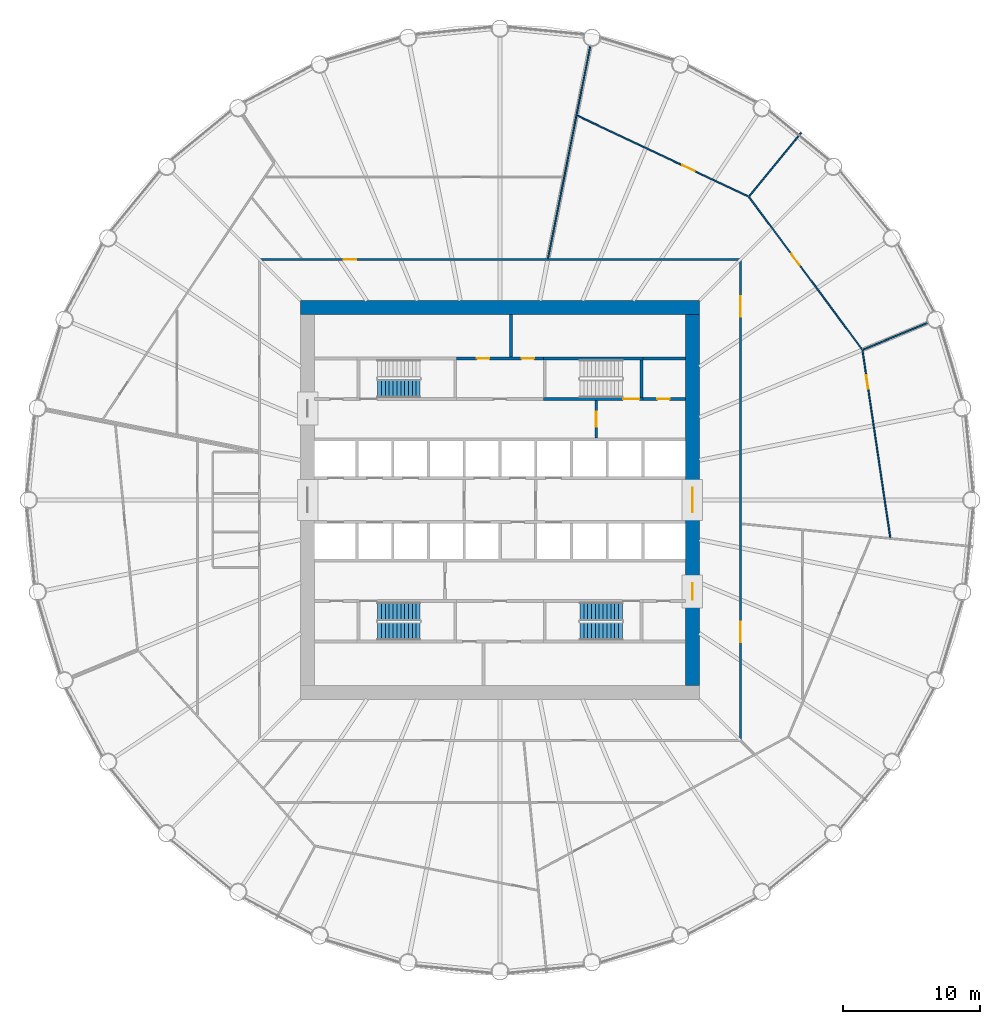
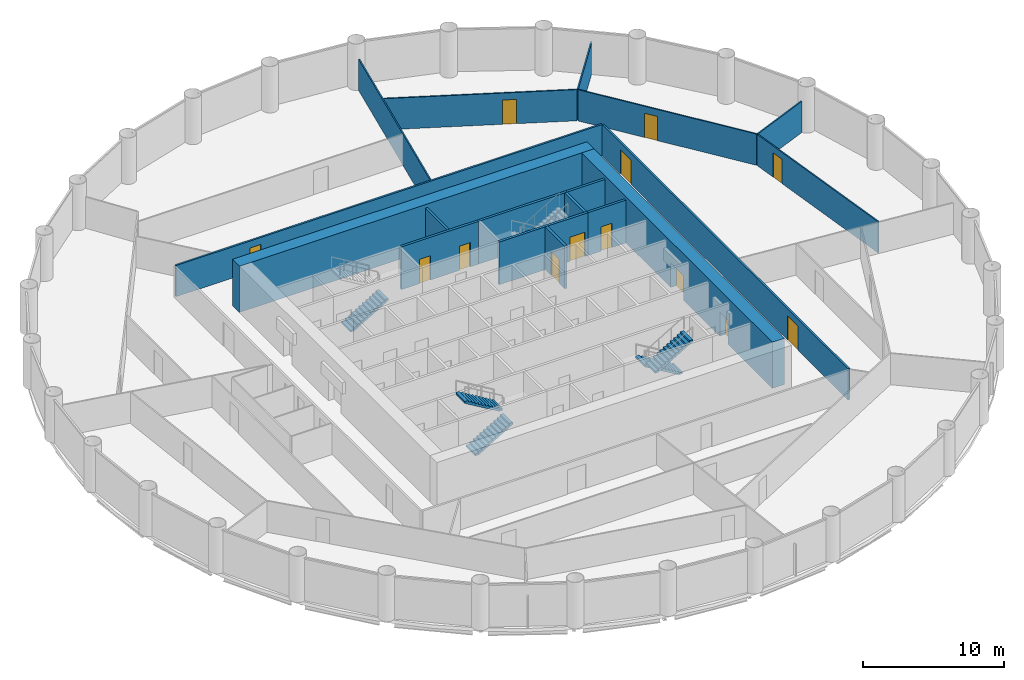
# One storey, part 7 of 9: 18 walls, 13 doors, 5 stair flights, 13 openings, 3 elements without a shape of their own.
"""IFC4 building model written with IfcOpenShell, lengths in metres."""

from ifc_helpers import new_model, si_unit, direction, frame, frame_2d, origin, place, context, subcontext, project, spatial, polyline, rectangle, outline, extrude, material, layer, layer_set, type_object, element, fill, aggregate, save


model = new_model("IFC4")

# Units and contexts
model_context = context("Model", 3, precision=1e-05, world=origin(), true_north=direction((0.0, 1.0)))
body_context = subcontext(model_context, "Body", "Model", "MODEL_VIEW")
ifc_project = project(units=[si_unit("LENGTHUNIT", "METRE"), si_unit("AREAUNIT", "SQUARE_METRE"), si_unit("VOLUMEUNIT", "CUBIC_METRE"), si_unit("PLANEANGLEUNIT", "RADIAN"), si_unit("MASSUNIT", "GRAM", prefix="KILO")], contexts=[model_context])

# Site, building, storey
site_placement = place(None, origin())
site = spatial("IfcSite", under=ifc_project, at=site_placement, CompositionType="ELEMENT")
building_placement = place(site_placement, origin())
building = spatial("IfcBuilding", under=site, at=building_placement, Name="Corvane Civic Tower", CompositionType="ELEMENT")
storey_placement = place(building_placement, frame((0.0, 0.0, 102.5)))
storey = spatial("IfcBuildingStorey", under=building, at=storey_placement, Name="L23", CompositionType="ELEMENT", Elevation=102.5)

# Wall
ifc_material_1 = material(Name="Concrete C70/85", Category="concrete")
ifc_layer_1 = layer(ifc_material_1, 1.0)
ifc_layer_set_1 = layer_set([ifc_layer_1], Name="Concrete C70/85")
wall_type_1 = type_object("IfcWallType", Name="CORE WALL 1000 C70/85", PredefinedType="SHEAR", material=ifc_layer_set_1)
wall_1_placement = place(storey_placement, frame((-14.5, 14.0, 0.0), z_axis=(0.0, 0.0, 1.0), x_axis=(1.0, 0.0, 0.0)))
element("IfcWall", 1, at=wall_1_placement, inside=storey, type_object=wall_type_1, Name="W-L23-core-N", PredefinedType="SHEAR", context=body_context, shape_type="SweptSolid", body=[
    extrude(rectangle(XDim=29.0, YDim=1.0, at=frame_2d((14.5, 0.0))), origin(), (0.0, 0.0, 1.0), 4.0),
])

# Wall, openings, doors
wall_2_placement = place(storey_placement, frame((14.0, -13.5, 0.0), z_axis=(0.0, 0.0, 1.0), x_axis=(0.0, 1.0, 0.0)))
wall_2 = element("IfcWall", 2, at=wall_2_placement, inside=storey, type_object=wall_type_1, Name="W-L23-core-E", PredefinedType="SHEAR", context=body_context, shape_type="SweptSolid", body=[
    extrude(rectangle(XDim=27.0, YDim=1.0, at=frame_2d((13.5, 0.0))), origin(), (0.0, 0.0, 1.0), 4.0),
])
opening_1_placement = place(wall_2_placement, frame((12.60009765625, 0.0, 0.0)))
opening_1 = element("IfcOpeningElement", 3, at=opening_1_placement, cuts=wall_2, Name="Opening L23.C21", PredefinedType="OPENING", context=body_context, shape_type="SweptSolid", body=[
    extrude(rectangle(XDim=1.800048828125, YDim=2.10009765625, at=frame_2d((0.89990234375, 1.050048828125))), frame((0.0, 0.510009765625, 0.0), z_axis=(0.0, -1.0, 0.0), x_axis=(1.0, 0.0, 0.0)), (0.0, 0.0, 1.0), 1.02001953125),
])
opening_2_placement = place(wall_2_placement, frame((6.25, 0.0, 0.0)))
opening_2 = element("IfcOpeningElement", 4, at=opening_2_placement, cuts=wall_2, Name="Opening L23.C23", PredefinedType="OPENING", context=body_context, shape_type="SweptSolid", body=[
    extrude(rectangle(XDim=1.199951171875, YDim=2.10009765625, at=frame_2d((0.60009765625, 1.050048828125))), frame((0.0, 0.510009765625, 0.0), z_axis=(0.0, -1.0, 0.0), x_axis=(1.0, 0.0, 0.0)), (0.0, 0.0, 1.0), 1.02001953125),
])
ifc_material_2 = material(Name="Steel fire door leaf", Category="steel")
door_type_1 = type_object("IfcDoorType", Name="CR-DOOR-CORE-1800", OperationType="DOUBLE_DOOR_SINGLE_SWING", PredefinedType="DOOR", material=ifc_material_2)
door_1_placement = place(opening_1_placement, origin())
door_1 = element("IfcDoor", 5, at=door_1_placement, inside=storey, type_object=door_type_1, Name="L23 door", OperationType="DOUBLE_DOOR_SINGLE_SWING", OverallHeight=2.10009765625, OverallWidth=1.800048828125, PredefinedType="DOOR", context=body_context, shape_type="SweptSolid", body=[
    extrude(rectangle(XDim=1.800048828125, YDim=2.10009765625, at=frame_2d((0.89990234375, 1.050048828125))), frame((0.0, 0.02490234375, 0.0), z_axis=(0.0, -1.0, 0.0), x_axis=(1.0, 0.0, 0.0)), (0.0, 0.0, 1.0), 0.050048828125),
])
fill(opening_1, door_1)
door_2_placement = place(opening_2_placement, origin())
door_2 = element("IfcDoor", 6, at=door_2_placement, inside=storey, type_object=door_type_1, Name="L23 door", OperationType="DOUBLE_DOOR_SINGLE_SWING", OverallHeight=2.10009765625, OverallWidth=1.199951171875, PredefinedType="DOOR", context=body_context, shape_type="SweptSolid", body=[
    extrude(rectangle(XDim=1.199951171875, YDim=2.10009765625, at=frame_2d((0.60009765625, 1.050048828125))), frame((0.0, 0.02490234375, 0.0), z_axis=(0.0, -1.0, 0.0), x_axis=(1.0, 0.0, 0.0)), (0.0, 0.0, 1.0), 0.050048828125),
])
fill(opening_2, door_2)

# Wall, opening, door
ifc_material_3 = material(Name="Concrete C30/37", Category="concrete")
ifc_layer_2 = layer(ifc_material_3, 0.199951171875)
ifc_layer_set_2 = layer_set([ifc_layer_2], Name="Concrete C30/37")
wall_type_2 = type_object("IfcWallType", Name="CR-WALL-200", PredefinedType="PARTITIONING", material=ifc_layer_set_2)
wall_3_placement = place(storey_placement, frame((10.39990234375, 7.35009765625, 0.0), z_axis=(0.0, 0.0, 1.0), x_axis=(1.0, 0.0, 0.0)))
wall_3 = element("IfcWall", 7, at=wall_3_placement, inside=storey, type_object=wall_type_2, Name="L23 core partition wall", PredefinedType="PARTITIONING", context=body_context, shape_type="SweptSolid", body=[
    extrude(rectangle(XDim=3.10009765625, YDim=0.199951171875, at=frame_2d((1.550048828125, 0.0))), origin(), (0.0, 0.0, 1.0), 3.699951171875),
])
opening_3_placement = place(wall_3_placement, frame((1.050048828125, 0.0, 0.0)))
opening_3 = element("IfcOpeningElement", 8, at=opening_3_placement, cuts=wall_3, Name="Opening L23.C10", PredefinedType="OPENING", context=body_context, shape_type="SweptSolid", body=[
    extrude(rectangle(XDim=0.89990234375, YDim=2.10009765625, at=frame_2d((0.449951171875, 1.050048828125))), frame((0.0, 0.10986328125, 0.0), z_axis=(0.0, -1.0, 0.0), x_axis=(1.0, 0.0, 0.0)), (0.0, 0.0, 1.0), 0.219970703125),
])
ifc_material_4 = material(Name="Steel fire door leaf", Category="steel")
door_type_2 = type_object("IfcDoorType", Name="CR-DOOR-900", OperationType="SINGLE_SWING_LEFT", PredefinedType="DOOR", material=ifc_material_4)
door_3_placement = place(opening_3_placement, origin())
door_3 = element("IfcDoor", 9, at=door_3_placement, inside=storey, type_object=door_type_2, Name="L23 door", OperationType="SINGLE_SWING_LEFT", OverallHeight=2.10009765625, OverallWidth=0.89990234375, PredefinedType="DOOR", context=body_context, shape_type="SweptSolid", body=[
    extrude(rectangle(XDim=0.89990234375, YDim=2.10009765625, at=frame_2d((0.449951171875, 1.050048828125))), frame((0.0, 0.02490234375, 0.0), z_axis=(0.0, -1.0, 0.0), x_axis=(1.0, 0.0, 0.0)), (0.0, 0.0, 1.0), 0.050048828125),
])
fill(opening_3, door_3)

# Wall, openings, doors
wall_4_placement = place(storey_placement, frame((-3.14990234375, 10.300048828125, 0.0), z_axis=(0.0, 0.0, 1.0), x_axis=(1.0, 0.0, 0.0)))
wall_4 = element("IfcWall", 10, at=wall_4_placement, inside=storey, type_object=wall_type_2, Name="L23 partition wall", PredefinedType="PARTITIONING", context=body_context, shape_type="SweptSolid", body=[
    extrude(rectangle(XDim=6.2998046875, YDim=0.199951171875, at=frame_2d((3.14990234375, 0.0))), origin(), (0.0, 0.0, 1.0), 3.699951171875),
])
opening_4_placement = place(wall_4_placement, frame((1.47509765625, 0.0, 0.0)))
opening_4 = element("IfcOpeningElement", 11, at=opening_4_placement, cuts=wall_4, Name="Opening L23.C04", PredefinedType="OPENING", context=body_context, shape_type="SweptSolid", body=[
    extrude(rectangle(XDim=0.89990234375, YDim=2.10009765625, at=frame_2d((0.449951171875, 1.050048828125))), frame((0.0, 0.10986328125, 0.0), z_axis=(0.0, -1.0, 0.0), x_axis=(1.0, 0.0, 0.0)), (0.0, 0.0, 1.0), 0.219970703125),
])
opening_5_placement = place(wall_4_placement, frame((4.72509765625, 0.0, 0.0)))
opening_5 = element("IfcOpeningElement", 12, at=opening_5_placement, cuts=wall_4, Name="Opening L23.C05", PredefinedType="OPENING", context=body_context, shape_type="SweptSolid", body=[
    extrude(rectangle(XDim=0.89990234375, YDim=2.10009765625, at=frame_2d((0.449951171875, 1.050048828125))), frame((0.0, 0.10986328125, 0.0), z_axis=(0.0, -1.0, 0.0), x_axis=(1.0, 0.0, 0.0)), (0.0, 0.0, 1.0), 0.219970703125),
])
door_4_placement = place(opening_4_placement, origin())
door_4 = element("IfcDoor", 13, at=door_4_placement, inside=storey, type_object=door_type_2, Name="L23 door", OperationType="SINGLE_SWING_LEFT", OverallHeight=2.10009765625, OverallWidth=0.89990234375, PredefinedType="DOOR", context=body_context, shape_type="SweptSolid", body=[
    extrude(rectangle(XDim=0.89990234375, YDim=2.10009765625, at=frame_2d((0.449951171875, 1.050048828125))), frame((0.0, 0.02490234375, 0.0), z_axis=(0.0, -1.0, 0.0), x_axis=(1.0, 0.0, 0.0)), (0.0, 0.0, 1.0), 0.050048828125),
])
fill(opening_4, door_4)
door_5_placement = place(opening_5_placement, origin())
door_5 = element("IfcDoor", 14, at=door_5_placement, inside=storey, type_object=door_type_2, Name="L23 door", OperationType="SINGLE_SWING_LEFT", OverallHeight=2.10009765625, OverallWidth=0.89990234375, PredefinedType="DOOR", context=body_context, shape_type="SweptSolid", body=[
    extrude(rectangle(XDim=0.89990234375, YDim=2.10009765625, at=frame_2d((0.449951171875, 1.050048828125))), frame((0.0, 0.02490234375, 0.0), z_axis=(0.0, -1.0, 0.0), x_axis=(1.0, 0.0, 0.0)), (0.0, 0.0, 1.0), 0.050048828125),
])
fill(opening_5, door_5)

# Wall, opening, door
wall_5_placement = place(storey_placement, frame((7.0, 4.5, 0.0), z_axis=(0.0, 0.0, 1.0), x_axis=(0.0, 1.0, 0.0)))
wall_5 = element("IfcWall", 15, at=wall_5_placement, inside=storey, type_object=wall_type_2, Name="L23 core partition wall", PredefinedType="PARTITIONING", context=body_context, shape_type="SweptSolid", body=[
    extrude(rectangle(XDim=2.75, YDim=0.199951171875, at=frame_2d((1.375, 0.0))), origin(), (0.0, 0.0, 1.0), 3.699951171875),
])
opening_6_placement = place(wall_5_placement, frame((0.824951171875, 0.0, 0.0)))
opening_6 = element("IfcOpeningElement", 16, at=opening_6_placement, cuts=wall_5, Name="Opening L23.C18", PredefinedType="OPENING", context=body_context, shape_type="SweptSolid", body=[
    extrude(rectangle(XDim=1.10009765625, YDim=2.10009765625, at=frame_2d((0.550048828125, 1.050048828125))), frame((0.0, 0.10986328125, 0.0), z_axis=(0.0, -1.0, 0.0), x_axis=(1.0, 0.0, 0.0)), (0.0, 0.0, 1.0), 0.219970703125),
])
ifc_material_5 = material(Name="Steel fire door leaf", Category="steel")
door_type_3 = type_object("IfcDoorType", Name="CR-DOOR-FFL-1100", OperationType="SINGLE_SWING_LEFT", PredefinedType="DOOR", material=ifc_material_5)
door_6_placement = place(opening_6_placement, origin())
door_6 = element("IfcDoor", 17, at=door_6_placement, inside=storey, type_object=door_type_3, Name="L23 lobby door", OperationType="SINGLE_SWING_LEFT", OverallHeight=2.10009765625, OverallWidth=1.10009765625, PredefinedType="DOOR", context=body_context, shape_type="SweptSolid", body=[
    extrude(rectangle(XDim=1.10009765625, YDim=2.10009765625, at=frame_2d((0.550048828125, 1.050048828125))), frame((0.0, 0.02490234375, 0.0), z_axis=(0.0, -1.0, 0.0), x_axis=(1.0, 0.0, 0.0)), (0.0, 0.0, 1.0), 0.050048828125),
])
fill(opening_6, door_6)

# Walls
wall_6_placement = place(storey_placement, origin())
element("IfcWall", 18, at=wall_6_placement, inside=storey, type_object=wall_type_2, Name="L23 core partition wall", PredefinedType="PARTITIONING", context=body_context, shape_type="SweptSolid", body=[
    extrude(outline(polyline([(0.89990234375, 10.39990234375), (0.699951171875, 10.39990234375), (0.699951171875, 13.5), (0.89990234375, 13.5), (0.89990234375, 10.39990234375)])), origin(), (0.0, 0.0, 1.0), 3.699951171875),
])
wall_7_placement = place(storey_placement, origin())
element("IfcWall", 19, at=wall_7_placement, inside=storey, type_object=wall_type_2, Name="L23 core partition wall", PredefinedType="PARTITIONING", context=body_context, shape_type="SweptSolid", body=[
    extrude(outline(polyline([(10.39990234375, 10.199951171875), (10.39990234375, 10.39990234375), (13.5, 10.39990234375), (13.5, 10.199951171875), (10.39990234375, 10.199951171875)])), origin(), (0.0, 0.0, 1.0), 3.699951171875),
])

# Wall, opening, door
ifc_material_6 = material(Name="Plasterboard")
ifc_layer_3 = layer(ifc_material_6, 0.10009765625)
ifc_layer_set_3 = layer_set([ifc_layer_3], Name="Plasterboard")
wall_type_3 = type_object("IfcWallType", Name="Partition 100 plasterboard on studs", PredefinedType="PARTITIONING", material=ifc_layer_set_3)
wall_8_placement = place(storey_placement, frame((26.376220703125, 10.884521484375, 0.0), z_axis=(0.0, 0.0, 1.0), x_axis=(0.146702255058, -0.989180695506, 0.0)))
wall_8 = element("IfcWall", 20, at=wall_8_placement, inside=storey, type_object=wall_type_3, Name="Partition L23.022", PredefinedType="PARTITIONING", context=body_context, shape_type="SweptSolid", body=[
    extrude(rectangle(XDim=13.767822265625, YDim=0.10009765625, at=frame_2d((6.8837890625, 0.0))), origin(), (0.0, 0.0, 1.0), 2.699951171875),
])
opening_7_placement = place(wall_8_placement, frame((1.8193359375, 0.0, 0.0)))
opening_7 = element("IfcOpeningElement", 21, at=opening_7_placement, cuts=wall_8, Name="Opening L23.003", PredefinedType="OPENING", context=body_context, shape_type="SweptSolid", body=[
    extrude(rectangle(XDim=1.0, YDim=2.10009765625, at=frame_2d((0.5, 1.050048828125))), frame((0.0, 0.06005859375, 0.0), z_axis=(0.0, -1.0, 0.0), x_axis=(1.0, 0.0, 0.0)), (0.0, 0.0, 1.0), 0.1201171875),
])
ifc_material_7 = material(Name="Timber", Category="wood")
door_type_4 = type_object("IfcDoorType", Name="Single door 1000", OperationType="NOTDEFINED", PredefinedType="DOOR", material=ifc_material_7)
door_7_placement = place(opening_7_placement, origin())
door_7 = element("IfcDoor", 22, at=door_7_placement, inside=storey, type_object=door_type_4, Name="Door L23.003", OperationType="SINGLE_SWING_LEFT", OverallHeight=2.10009765625, OverallWidth=1.0, PredefinedType="DOOR", context=body_context, shape_type="SweptSolid", body=[
    extrude(rectangle(XDim=1.0, YDim=2.10009765625, at=frame_2d((0.5, 1.050048828125))), frame((0.0, 0.02490234375, 0.0), z_axis=(0.0, -1.0, 0.0), x_axis=(1.0, 0.0, 0.0)), (0.0, 0.0, 1.0), 0.050048828125),
])
fill(opening_7, door_7)

# Wall
wall_9_placement = place(storey_placement, frame((26.406494140625, 10.93798828125, 0.0), z_axis=(0.0, 0.0, 1.0), x_axis=(0.923879254995, 0.382684102347, 0.0)))
element("IfcWall", 23, at=wall_9_placement, inside=storey, type_object=wall_type_3, Name="Partition L23.029", PredefinedType="PARTITIONING", context=body_context, shape_type="SweptSolid", body=[
    extrude(rectangle(XDim=5.082763671875, YDim=0.10009765625, at=frame_2d((2.54150390625, 0.0))), origin(), (0.0, 0.0, 1.0), 2.699951171875),
])

# Wall, opening, door
wall_10_placement = place(storey_placement, frame((18.130859375, 22.03271484375, 0.0), z_axis=(0.0, 0.0, 1.0), x_axis=(0.595700710937, -0.803206488388, 0.0)))
wall_10 = element("IfcWall", 24, at=wall_10_placement, inside=storey, type_object=wall_type_3, Name="Partition L23.030", PredefinedType="PARTITIONING", context=body_context, shape_type="SweptSolid", body=[
    extrude(rectangle(XDim=13.792724609375, YDim=0.10009765625, at=frame_2d((6.896484375, 0.0))), origin(), (0.0, 0.0, 1.0), 2.699951171875),
])
opening_8_placement = place(wall_10_placement, frame((5.144775390625, 0.0, 0.0)))
opening_8 = element("IfcOpeningElement", 25, at=opening_8_placement, cuts=wall_10, Name="Opening L23.002", PredefinedType="OPENING", context=body_context, shape_type="SweptSolid", body=[
    extrude(rectangle(XDim=1.0, YDim=2.10009765625, at=frame_2d((0.5, 1.050048828125))), frame((0.0, 0.06005859375, 0.0), z_axis=(0.0, -1.0, 0.0), x_axis=(1.0, 0.0, 0.0)), (0.0, 0.0, 1.0), 0.1201171875),
])
door_8_placement = place(opening_8_placement, origin())
door_8 = element("IfcDoor", 26, at=door_8_placement, inside=storey, type_object=door_type_4, Name="Door L23.002", OperationType="SINGLE_SWING_RIGHT", OverallHeight=2.10009765625, OverallWidth=1.0, PredefinedType="DOOR", context=body_context, shape_type="SweptSolid", body=[
    extrude(rectangle(XDim=1.0, YDim=2.10009765625, at=frame_2d((0.5, 1.050048828125))), frame((0.0, 0.02490234375, 0.0), z_axis=(0.0, -1.0, 0.0), x_axis=(1.0, 0.0, 0.0)), (0.0, 0.0, 1.0), 0.050048828125),
])
fill(opening_8, door_8)

# Wall
wall_11_placement = place(storey_placement, frame((3.497802734375, 17.584716796875, 0.0), z_axis=(0.0, 0.0, 1.0), x_axis=(0.195086660958, 0.980786008626, 0.0)))
element("IfcWall", 27, at=wall_11_placement, inside=storey, type_object=wall_type_3, Name="Partition L23.032", PredefinedType="PARTITIONING", context=body_context, shape_type="SweptSolid", body=[
    extrude(rectangle(XDim=15.735595703125, YDim=0.10009765625, at=frame_2d((7.86767578125, 0.0))), origin(), (0.0, 0.0, 1.0), 2.699951171875),
])

# Wall, opening, door
wall_12_placement = place(storey_placement, frame((5.62646484375, 27.967041015625, 0.0), z_axis=(0.0, 0.0, 1.0), x_axis=(0.903994764838, -0.42754352427, 0.0)))
wall_12 = element("IfcWall", 28, at=wall_12_placement, inside=storey, type_object=wall_type_3, Name="Partition L23.034", PredefinedType="PARTITIONING", context=body_context, shape_type="SweptSolid", body=[
    extrude(rectangle(XDim=13.767578125, YDim=0.10009765625, at=frame_2d((6.8837890625, 0.0))), origin(), (0.0, 0.0, 1.0), 2.699951171875),
])
opening_9_placement = place(wall_12_placement, frame((8.445068359375, 0.0, 0.0)))
opening_9 = element("IfcOpeningElement", 29, at=opening_9_placement, cuts=wall_12, Name="Opening L23.001", PredefinedType="OPENING", context=body_context, shape_type="SweptSolid", body=[
    extrude(rectangle(XDim=1.0, YDim=2.10009765625, at=frame_2d((0.5, 1.050048828125))), frame((0.0, 0.06005859375, 0.0), z_axis=(0.0, -1.0, 0.0), x_axis=(1.0, 0.0, 0.0)), (0.0, 0.0, 1.0), 0.1201171875),
])
door_9_placement = place(opening_9_placement, origin())
door_9 = element("IfcDoor", 30, at=door_9_placement, inside=storey, type_object=door_type_4, Name="Door L23.001", OperationType="SINGLE_SWING_LEFT", OverallHeight=2.10009765625, OverallWidth=1.0, PredefinedType="DOOR", context=body_context, shape_type="SweptSolid", body=[
    extrude(rectangle(XDim=1.0, YDim=2.10009765625, at=frame_2d((0.5, 1.050048828125))), frame((0.0, 0.02490234375, 0.0), z_axis=(0.0, -1.0, 0.0), x_axis=(1.0, 0.0, 0.0)), (0.0, 0.0, 1.0), 0.050048828125),
])
fill(opening_9, door_9)

# Wall
wall_13_placement = place(storey_placement, frame((18.13232421875, 22.09423828125, 0.0), z_axis=(0.0, 0.0, 1.0), x_axis=(0.634384310578, 0.773017817707, 0.0)))
element("IfcWall", 31, at=wall_13_placement, inside=storey, type_object=wall_type_3, Name="Partition L23.035", PredefinedType="PARTITIONING", context=body_context, shape_type="SweptSolid", body=[
    extrude(rectangle(XDim=5.96826171875, YDim=0.10009765625, at=frame_2d((2.984130859375, 0.0))), origin(), (0.0, 0.0, 1.0), 2.699951171875),
])

# Wall, opening, door
ifc_material_8 = material(Name="Concrete C50/60", Category="concrete")
ifc_layer_4 = layer(ifc_material_8, 0.199951171875)
ifc_layer_set_4 = layer_set([ifc_layer_4], Name="Concrete C50/60")
wall_type_4 = type_object("IfcWallType", Name="ST-WALL-200", PredefinedType="SHEAR", material=ifc_layer_set_4)
wall_14_placement = place(storey_placement, frame((3.14990234375, 7.35009765625, 0.0), z_axis=(0.0, 0.0, 1.0), x_axis=(1.0, 0.0, 0.0)))
wall_14 = element("IfcWall", 32, at=wall_14_placement, inside=storey, type_object=wall_type_4, Name="L23 stair enclosure wall", PredefinedType="SHEAR", context=body_context, shape_type="SweptSolid", body=[
    extrude(rectangle(XDim=7.25, YDim=0.199951171875, at=frame_2d((3.625, 0.0))), origin(), (0.0, 0.0, 1.0), 3.699951171875),
])
opening_10_placement = place(wall_14_placement, frame((5.800048828125, 0.0, 0.0)))
opening_10 = element("IfcOpeningElement", 33, at=opening_10_placement, cuts=wall_14, Name="Opening L23.C12", PredefinedType="OPENING", context=body_context, shape_type="SweptSolid", body=[
    extrude(rectangle(XDim=1.199951171875, YDim=2.10009765625, at=frame_2d((0.60009765625, 1.050048828125))), frame((0.0, 0.10986328125, 0.0), z_axis=(0.0, -1.0, 0.0), x_axis=(1.0, 0.0, 0.0)), (0.0, 0.0, 1.0), 0.219970703125),
])
ifc_material_9 = material(Name="Steel fire door leaf", Category="steel")
door_type_5 = type_object("IfcDoorType", Name="ST-DOOR-1200", OperationType="SINGLE_SWING_RIGHT", PredefinedType="DOOR", material=ifc_material_9)
door_10_placement = place(opening_10_placement, origin())
door_10 = element("IfcDoor", 34, at=door_10_placement, inside=storey, type_object=door_type_5, Name="L23 stair door", OperationType="SINGLE_SWING_RIGHT", OverallHeight=2.10009765625, OverallWidth=1.199951171875, PredefinedType="DOOR", context=body_context, shape_type="SweptSolid", body=[
    extrude(rectangle(XDim=1.199951171875, YDim=2.10009765625, at=frame_2d((0.60009765625, 1.050048828125))), frame((0.0, 0.02490234375, 0.0), z_axis=(0.0, -1.0, 0.0), x_axis=(1.0, 0.0, 0.0)), (0.0, 0.0, 1.0), 0.050048828125),
])
fill(opening_10, door_10)

# Walls
wall_15_placement = place(storey_placement, origin())
element("IfcWall", 35, at=wall_15_placement, inside=storey, type_object=wall_type_4, Name="L23 stair enclosure wall", PredefinedType="SHEAR", context=body_context, shape_type="SweptSolid", body=[
    extrude(outline(polyline([(10.39990234375, 10.199951171875), (3.14990234375, 10.199951171875), (3.14990234375, 10.39990234375), (10.39990234375, 10.39990234375), (10.39990234375, 10.199951171875)])), origin(), (0.0, 0.0, 1.0), 3.699951171875),
])
wall_16_placement = place(storey_placement, origin())
element("IfcWall", 36, at=wall_16_placement, inside=storey, type_object=wall_type_4, Name="L23 stair enclosure wall", PredefinedType="SHEAR", context=body_context, shape_type="SweptSolid", body=[
    extrude(outline(polyline([(10.39990234375, 7.449951171875), (10.199951171875, 7.449951171875), (10.199951171875, 10.199951171875), (10.39990234375, 10.199951171875), (10.39990234375, 7.449951171875)])), origin(), (0.0, 0.0, 1.0), 3.699951171875),
])

# Wall, openings, doors
ifc_material_10 = material(Name="Plasterboard")
ifc_layer_5 = layer(ifc_material_10, 0.14990234375)
ifc_layer_set_5 = layer_set([ifc_layer_5], Name="Plasterboard")
wall_type_5 = type_object("IfcWallType", Name="Tenancy wall 150 EI 60", PredefinedType="PARTITIONING", material=ifc_layer_set_5)
wall_17_placement = place(storey_placement, frame((17.5, -17.425048828125, 0.0), z_axis=(0.0, 0.0, 1.0), x_axis=(0.0, 1.0, 0.0)))
wall_17 = element("IfcWall", 37, at=wall_17_placement, inside=storey, type_object=wall_type_5, Name="Partition L23.013", PredefinedType="PARTITIONING", context=body_context, shape_type="SweptSolid", body=[
    extrude(rectangle(XDim=34.85009765625, YDim=0.14990234375, at=frame_2d((17.425048828125, 0.0))), origin(), (0.0, 0.0, 1.0), 2.699951171875),
])
opening_11_placement = place(wall_17_placement, frame((30.7646484375, 0.0, 0.0)))
opening_11 = element("IfcOpeningElement", 38, at=opening_11_placement, cuts=wall_17, Name="Opening L23.004", PredefinedType="OPENING", context=body_context, shape_type="SweptSolid", body=[
    extrude(rectangle(XDim=1.5, YDim=2.10009765625, at=frame_2d((0.75, 1.050048828125))), frame((0.0, 0.0849609375, 0.0), z_axis=(0.0, -1.0, 0.0), x_axis=(1.0, 0.0, 0.0)), (0.0, 0.0, 1.0), 0.169921875),
])
opening_12_placement = place(wall_17_placement, frame((7.081787109375, 0.0, 0.0)))
opening_12 = element("IfcOpeningElement", 39, at=opening_12_placement, cuts=wall_17, Name="Opening L23.009", PredefinedType="OPENING", context=body_context, shape_type="SweptSolid", body=[
    extrude(rectangle(XDim=1.5, YDim=2.10009765625, at=frame_2d((0.75, 1.050048828125))), frame((0.0, 0.0849609375, 0.0), z_axis=(0.0, -1.0, 0.0), x_axis=(1.0, 0.0, 0.0)), (0.0, 0.0, 1.0), 0.169921875),
])
ifc_material_11 = material(Name="Steel and timber", Category="steel")
door_type_6 = type_object("IfcDoorType", Name="Fire door FD60 double 1500", OperationType="NOTDEFINED", PredefinedType="DOOR", material=ifc_material_11)
door_11_placement = place(opening_11_placement, frame((1.5, 0.0, 0.0), z_axis=(0.0, 0.0, 1.0), x_axis=(-1.0, 0.0, 0.0)))
door_11 = element("IfcDoor", 40, at=door_11_placement, inside=storey, type_object=door_type_6, Name="Door L23.004", OperationType="DOUBLE_DOOR_SINGLE_SWING", OverallHeight=2.10009765625, OverallWidth=1.5, PredefinedType="DOOR", context=body_context, shape_type="SweptSolid", body=[
    extrude(rectangle(XDim=1.5, YDim=2.10009765625, at=frame_2d((0.75, 1.050048828125))), frame((0.0, 0.02490234375, 0.0), z_axis=(0.0, -1.0, 0.0), x_axis=(1.0, 0.0, 0.0)), (0.0, 0.0, 1.0), 0.050048828125),
])
fill(opening_11, door_11)
door_12_placement = place(opening_12_placement, frame((1.5, 0.0, 0.0), z_axis=(0.0, 0.0, 1.0), x_axis=(-1.0, 0.0, 0.0)))
door_12 = element("IfcDoor", 41, at=door_12_placement, inside=storey, type_object=door_type_6, Name="Door L23.009", OperationType="DOUBLE_DOOR_SINGLE_SWING", OverallHeight=2.10009765625, OverallWidth=1.5, PredefinedType="DOOR", context=body_context, shape_type="SweptSolid", body=[
    extrude(rectangle(XDim=1.5, YDim=2.10009765625, at=frame_2d((0.75, 1.050048828125))), frame((0.0, 0.02490234375, 0.0), z_axis=(0.0, -1.0, 0.0), x_axis=(1.0, 0.0, 0.0)), (0.0, 0.0, 1.0), 0.050048828125),
])
fill(opening_12, door_12)

# Wall, opening, door
wall_18_placement = place(storey_placement, frame((-17.425048828125, 17.5, 0.0), z_axis=(0.0, 0.0, 1.0), x_axis=(1.0, 0.0, 0.0)))
wall_18 = element("IfcWall", 42, at=wall_18_placement, inside=storey, type_object=wall_type_5, Name="Partition L23.031", PredefinedType="PARTITIONING", context=body_context, shape_type="SweptSolid", body=[
    extrude(rectangle(XDim=34.85009765625, YDim=0.14990234375, at=frame_2d((17.425048828125, 0.0))), origin(), (0.0, 0.0, 1.0), 2.699951171875),
])
opening_13_placement = place(wall_18_placement, frame((6.050537109375, 0.0, 0.0)))
opening_13 = element("IfcOpeningElement", 43, at=opening_13_placement, cuts=wall_18, Name="Opening L23.025", PredefinedType="OPENING", context=body_context, shape_type="SweptSolid", body=[
    extrude(rectangle(XDim=0.89990234375, YDim=2.10009765625, at=frame_2d((0.449951171875, 1.050048828125))), frame((0.0, 0.0849609375, 0.0), z_axis=(0.0, -1.0, 0.0), x_axis=(1.0, 0.0, 0.0)), (0.0, 0.0, 1.0), 0.169921875),
])
ifc_material_12 = material(Name="Steel and timber", Category="steel")
door_type_7 = type_object("IfcDoorType", Name="Fire door FD30S 900", OperationType="NOTDEFINED", PredefinedType="DOOR", material=ifc_material_12)
door_13_placement = place(opening_13_placement, origin())
door_13 = element("IfcDoor", 44, at=door_13_placement, inside=storey, type_object=door_type_7, Name="Door L23.025", OperationType="SINGLE_SWING_LEFT", OverallHeight=2.10009765625, OverallWidth=0.89990234375, PredefinedType="DOOR", context=body_context, shape_type="SweptSolid", body=[
    extrude(rectangle(XDim=0.89990234375, YDim=2.10009765625, at=frame_2d((0.449951171875, 1.050048828125))), frame((0.0, 0.02490234375, 0.0), z_axis=(0.0, -1.0, 0.0), x_axis=(1.0, 0.0, 0.0)), (0.0, 0.0, 1.0), 0.050048828125),
])
fill(opening_13, door_13)

# Stair, stair flights
ifc_material_13 = material(Name="Concrete C40/50", Category="concrete")
stair_type = type_object("IfcStairType", Name="ST-STAIR-HALFTURN", PredefinedType="HALF_TURN_STAIR", material=ifc_material_13)
stair_1_placement = place(storey_placement, origin())
stair_1 = element("IfcStair", 45, at=stair_1_placement, inside=storey, type_object=stair_type, Name="L23 Exit stair ST2", PredefinedType="HALF_TURN_STAIR")
ifc_material_14 = material(Name="Concrete C40/50", Category="concrete")
stair_flight_type = type_object("IfcStairFlightType", Name="ST-FLIGHT-RC", PredefinedType="STRAIGHT", material=ifc_material_14)
stair_flight_1_placement = place(storey_placement, frame((8.89990234375, -8.10009765625, 0.0), z_axis=(0.0, 0.0, 1.0), x_axis=(-1.0, 0.0, 0.0)))
stair_flight_1 = element("IfcStairFlight", 46, at=stair_flight_1_placement, type_object=stair_flight_type, Name="ST2 flight 1", NumberOfRisers=12, NumberOfTreads=11, PredefinedType="STRAIGHT", RiserHeight=0.166666667, TreadLength=0.28, context=body_context, shape_type="SweptSolid", body=[
    extrude(outline(polyline([(0.0, 0.0), (0.0, 0.166748046875), (0.280029296875, 0.166748046875), (0.280029296875, 0.333251953125), (0.56005859375, 0.333251953125), (0.56005859375, 0.5), (0.840087890625, 0.5), (0.840087890625, 0.666748046875), (1.1201171875, 0.666748046875), (1.1201171875, 0.833251953125), (1.39990234375, 0.833251953125), (1.39990234375, 1.0), (1.679931640625, 1.0), (1.679931640625, 1.166748046875), (1.9599609375, 1.166748046875), (1.9599609375, 1.333251953125), (2.239990234375, 1.333251953125), (2.239990234375, 1.5), (2.52001953125, 1.5), (2.52001953125, 1.666748046875), (2.800048828125, 1.666748046875), (2.800048828125, 1.833251953125), (3.080078125, 1.833251953125), (3.080078125, 2.0), (3.080078125, 1.658935546875), (0.29296875, 0.0), (0.0, 0.0)])), frame((0.0, 0.64990234375, 0.0), z_axis=(0.0, -1.0, 0.0), x_axis=(1.0, 0.0, 0.0)), (0.0, 0.0, 1.0), 1.300048828125),
])
stair_flight_2_placement = place(storey_placement, frame((5.820068359375, -9.550048828125, 2.0), z_axis=(0.0, 0.0, 1.0), x_axis=(1.0, 0.0, 0.0)))
stair_flight_2 = element("IfcStairFlight", 47, at=stair_flight_2_placement, type_object=stair_flight_type, Name="ST2 flight 2", NumberOfRisers=12, NumberOfTreads=11, PredefinedType="STRAIGHT", RiserHeight=0.166666667, TreadLength=0.28, context=body_context, shape_type="SweptSolid", body=[
    extrude(outline(polyline([(0.0, 0.0), (0.0, 0.166748046875), (0.280029296875, 0.166748046875), (0.280029296875, 0.333251953125), (0.56005859375, 0.333251953125), (0.56005859375, 0.5), (0.840087890625, 0.5), (0.840087890625, 0.666748046875), (1.1201171875, 0.666748046875), (1.1201171875, 0.833251953125), (1.39990234375, 0.833251953125), (1.39990234375, 1.0), (1.679931640625, 1.0), (1.679931640625, 1.166748046875), (1.9599609375, 1.166748046875), (1.9599609375, 1.333251953125), (2.239990234375, 1.333251953125), (2.239990234375, 1.5), (2.52001953125, 1.5), (2.52001953125, 1.666748046875), (2.800048828125, 1.666748046875), (2.800048828125, 1.833251953125), (3.080078125, 1.833251953125), (3.080078125, 2.0), (3.080078125, 1.658935546875), (0.29296875, 0.0), (0.0, 0.0)])), frame((0.0, 0.64990234375, 0.0), z_axis=(0.0, -1.0, 0.0), x_axis=(1.0, 0.0, 0.0)), (0.0, 0.0, 1.0), 1.300048828125),
])
aggregate(stair_1, [stair_flight_1, stair_flight_2])

stair_2_placement = place(storey_placement, origin())
stair_2 = element("IfcStair", 48, at=stair_2_placement, inside=storey, type_object=stair_type, Name="L23 Exit stair ST3", PredefinedType="HALF_TURN_STAIR")
stair_flight_3_placement = place(storey_placement, frame((-8.89990234375, -9.550048828125, 0.0), z_axis=(0.0, 0.0, 1.0), x_axis=(1.0, 0.0, 0.0)))
stair_flight_3 = element("IfcStairFlight", 49, at=stair_flight_3_placement, type_object=stair_flight_type, Name="ST3 flight 1", NumberOfRisers=12, NumberOfTreads=11, PredefinedType="STRAIGHT", RiserHeight=0.166666667, TreadLength=0.28, context=body_context, shape_type="SweptSolid", body=[
    extrude(outline(polyline([(0.0, 0.0), (0.0, 0.166748046875), (0.280029296875, 0.166748046875), (0.280029296875, 0.333251953125), (0.56005859375, 0.333251953125), (0.56005859375, 0.5), (0.840087890625, 0.5), (0.840087890625, 0.666748046875), (1.1201171875, 0.666748046875), (1.1201171875, 0.833251953125), (1.39990234375, 0.833251953125), (1.39990234375, 1.0), (1.679931640625, 1.0), (1.679931640625, 1.166748046875), (1.9599609375, 1.166748046875), (1.9599609375, 1.333251953125), (2.239990234375, 1.333251953125), (2.239990234375, 1.5), (2.52001953125, 1.5), (2.52001953125, 1.666748046875), (2.800048828125, 1.666748046875), (2.800048828125, 1.833251953125), (3.080078125, 1.833251953125), (3.080078125, 2.0), (3.080078125, 1.658935546875), (0.29296875, 0.0), (0.0, 0.0)])), frame((0.0, 0.64990234375, 0.0), z_axis=(0.0, -1.0, 0.0), x_axis=(1.0, 0.0, 0.0)), (0.0, 0.0, 1.0), 1.300048828125),
])
stair_flight_4_placement = place(storey_placement, frame((-5.820068359375, -8.10009765625, 2.0), z_axis=(0.0, 0.0, 1.0), x_axis=(-1.0, 0.0, 0.0)))
stair_flight_4 = element("IfcStairFlight", 50, at=stair_flight_4_placement, type_object=stair_flight_type, Name="ST3 flight 2", NumberOfRisers=12, NumberOfTreads=11, PredefinedType="STRAIGHT", RiserHeight=0.166666667, TreadLength=0.28, context=body_context, shape_type="SweptSolid", body=[
    extrude(outline(polyline([(0.0, 0.0), (0.0, 0.166748046875), (0.280029296875, 0.166748046875), (0.280029296875, 0.333251953125), (0.56005859375, 0.333251953125), (0.56005859375, 0.5), (0.840087890625, 0.5), (0.840087890625, 0.666748046875), (1.1201171875, 0.666748046875), (1.1201171875, 0.833251953125), (1.39990234375, 0.833251953125), (1.39990234375, 1.0), (1.679931640625, 1.0), (1.679931640625, 1.166748046875), (1.9599609375, 1.166748046875), (1.9599609375, 1.333251953125), (2.239990234375, 1.333251953125), (2.239990234375, 1.5), (2.52001953125, 1.5), (2.52001953125, 1.666748046875), (2.800048828125, 1.666748046875), (2.800048828125, 1.833251953125), (3.080078125, 1.833251953125), (3.080078125, 2.0), (3.080078125, 1.658935546875), (0.29296875, 0.0), (0.0, 0.0)])), frame((0.0, 0.64990234375, 0.0), z_axis=(0.0, -1.0, 0.0), x_axis=(1.0, 0.0, 0.0)), (0.0, 0.0, 1.0), 1.300048828125),
])
aggregate(stair_2, [stair_flight_3, stair_flight_4])

# Stair, stair flight
stair_3_placement = place(storey_placement, origin())
stair_3 = element("IfcStair", 51, at=stair_3_placement, inside=storey, type_object=stair_type, Name="L23 Exit stair ST4", PredefinedType="HALF_TURN_STAIR")
stair_flight_5_placement = place(storey_placement, frame((-8.89990234375, 8.10009765625, 0.0), z_axis=(0.0, 0.0, 1.0), x_axis=(1.0, 0.0, 0.0)))
stair_flight_5 = element("IfcStairFlight", 52, at=stair_flight_5_placement, type_object=stair_flight_type, Name="ST4 flight 1", NumberOfRisers=12, NumberOfTreads=11, PredefinedType="STRAIGHT", RiserHeight=0.166666667, TreadLength=0.28, context=body_context, shape_type="SweptSolid", body=[
    extrude(outline(polyline([(0.0, 0.0), (0.0, 0.166748046875), (0.280029296875, 0.166748046875), (0.280029296875, 0.333251953125), (0.56005859375, 0.333251953125), (0.56005859375, 0.5), (0.840087890625, 0.5), (0.840087890625, 0.666748046875), (1.1201171875, 0.666748046875), (1.1201171875, 0.833251953125), (1.39990234375, 0.833251953125), (1.39990234375, 1.0), (1.679931640625, 1.0), (1.679931640625, 1.166748046875), (1.9599609375, 1.166748046875), (1.9599609375, 1.333251953125), (2.239990234375, 1.333251953125), (2.239990234375, 1.5), (2.52001953125, 1.5), (2.52001953125, 1.666748046875), (2.800048828125, 1.666748046875), (2.800048828125, 1.833251953125), (3.080078125, 1.833251953125), (3.080078125, 2.0), (3.080078125, 1.658935546875), (0.29296875, 0.0), (0.0, 0.0)])), frame((0.0, 0.64990234375, 0.0), z_axis=(0.0, -1.0, 0.0), x_axis=(1.0, 0.0, 0.0)), (0.0, 0.0, 1.0), 1.300048828125),
])
aggregate(stair_3, [stair_flight_5])

save(model, "model.ifc")
